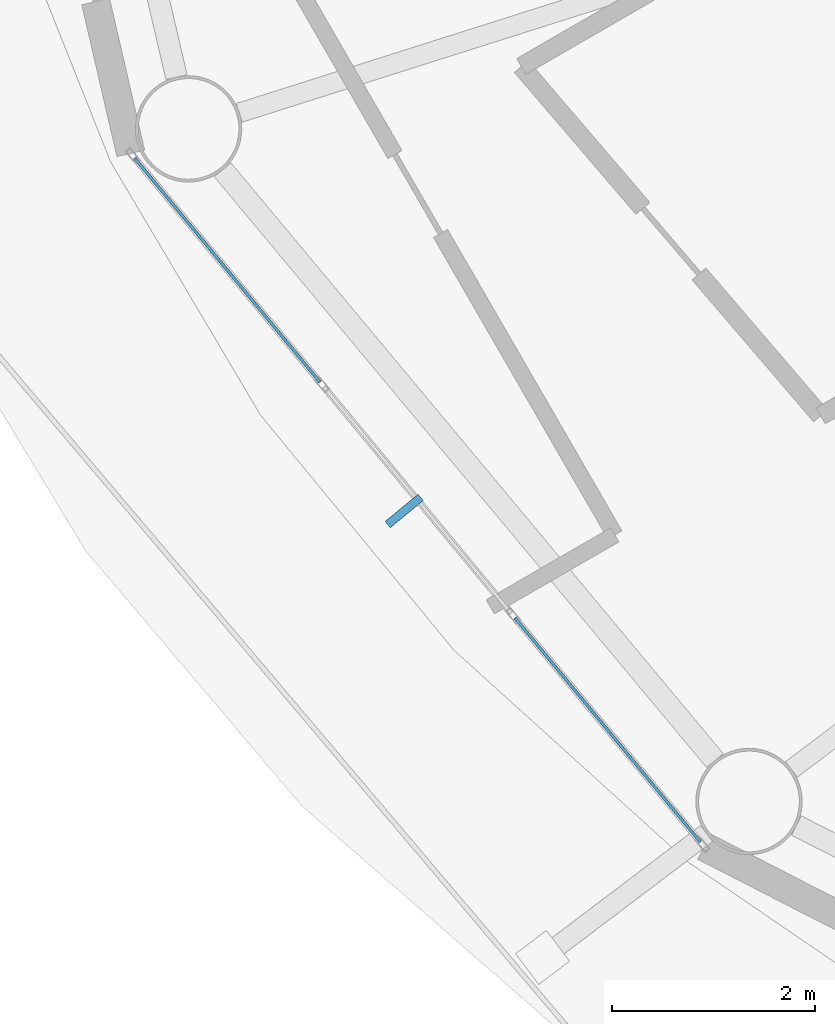
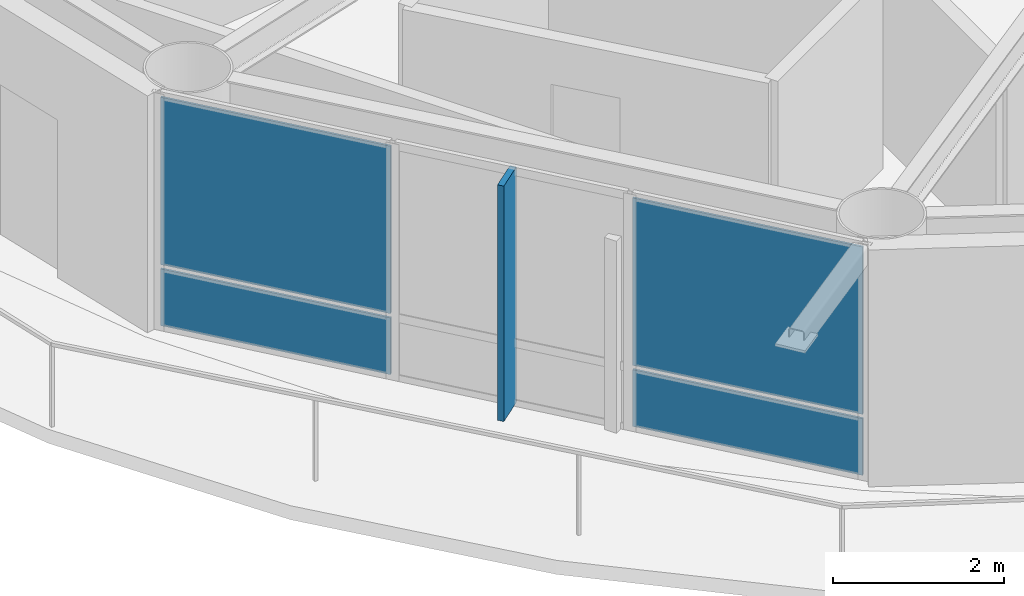
# One storey, part 17 of 29: 5 plates, 1 element without a shape of its own.
"""IFC4 building model written with IfcOpenShell, lengths in metres."""

from ifc_helpers import new_model, si_unit, direction, frame, origin, origin_2d, place, context, subcontext, project, spatial, rectangle, extrude, material, layer, layer_set, type_object, element, aggregate, save


model = new_model("IFC4")

# Units and contexts
model_context = context("Model", 3, precision=1e-05, world=origin(), true_north=direction((0.0, 1.0)))
body_context = subcontext(model_context, "Body", "Model", "MODEL_VIEW")
ifc_project = project(units=[si_unit("LENGTHUNIT", "METRE"), si_unit("AREAUNIT", "SQUARE_METRE"), si_unit("VOLUMEUNIT", "CUBIC_METRE"), si_unit("PLANEANGLEUNIT", "RADIAN"), si_unit("MASSUNIT", "GRAM", prefix="KILO")], contexts=[model_context])

# Site, building, storey
site_placement = place(None, origin())
site = spatial("IfcSite", under=ifc_project, at=site_placement, CompositionType="ELEMENT")
building_placement = place(site_placement, origin())
building = spatial("IfcBuilding", under=site, at=building_placement, Name="Sarneth Arch Tower", CompositionType="ELEMENT")
storey_placement = place(building_placement, frame((0.0, 0.0, 175.800048828125)))
storey = spatial("IfcBuildingStorey", under=building, at=storey_placement, Name="L44", CompositionType="ELEMENT", Elevation=175.800048828125)

# Curtain wall, plates
ifc_material_1 = material(Name="Anodised aluminium Type AA25 and solar-control low-e laminated IGU", Category="aluminium")
ifc_layer_1 = layer(ifc_material_1, 0.169921875)
ifc_layer_set_1 = layer_set([ifc_layer_1], Name="Anodised aluminium Type AA25 and solar-control low-e laminated IGU")
curtain_wall_type = type_object("IfcCurtainWallType", Name="CW-RES-MID", PredefinedType="NOTDEFINED", material=ifc_layer_set_1)
curtain_wall_placement = place(storey_placement, origin())
curtain_wall = element("IfcCurtainWall", 1, at=curtain_wall_placement, inside=storey, type_object=curtain_wall_type, Name="L44 Unitised curtain wall facet 10", PredefinedType="NOTDEFINED")
ifc_material_2 = material(Name="Solar-control low-e laminated IGU", Category="glass")
ifc_layer_2 = layer(ifc_material_2, 0.028076171875)
ifc_layer_set_2 = layer_set([ifc_layer_2], Name="Solar-control low-e laminated IGU")
plate_type_1 = type_object("IfcPlateType", Name="CW-PANEL", PredefinedType="CURTAIN_PANEL", material=ifc_layer_set_2)
plate_1_placement = place(storey_placement, frame((23.719970703125, 32.78173828125, 0.059814453125), z_axis=(0.0, 0.0, 1.0), x_axis=(0.637330298558, -0.770590741276, 0.0)))
plate_1 = element("IfcPlate", 2, at=plate_1_placement, type_object=plate_type_1, Name="Curtain wall glazed vision pane CW-L44-F10/P00-00", PredefinedType="CURTAIN_PANEL", context=body_context, shape_type="SweptSolid", body=[
    extrude(rectangle(XDim=2.8681640625, YDim=0.028076171875, at=origin_2d()), origin(), (0.0, 0.0, 1.0), 0.81005859375),
])
plate_2_placement = place(storey_placement, frame((23.719970703125, 32.78173828125, 0.93017578125), z_axis=(0.0, 0.0, 1.0), x_axis=(0.637330298558, -0.770590741276, 0.0)))
plate_2 = element("IfcPlate", 3, at=plate_2_placement, type_object=plate_type_1, Name="Curtain wall glazed vision pane CW-L44-F10/P00-01", PredefinedType="CURTAIN_PANEL", context=body_context, shape_type="SweptSolid", body=[
    extrude(rectangle(XDim=2.8681640625, YDim=0.028076171875, at=origin_2d()), origin(), (0.0, 0.0, 1.0), 2.389892578125),
])
plate_3_placement = place(storey_placement, frame((27.4716796875, 28.24560546875, 0.059814453125), z_axis=(0.0, 0.0, 1.0), x_axis=(0.637330298558, -0.770590741276, 0.0)))
plate_3 = element("IfcPlate", 4, at=plate_3_placement, type_object=plate_type_1, Name="Curtain wall glazed vision pane CW-L44-F10/P02-00", PredefinedType="CURTAIN_PANEL", context=body_context, shape_type="SweptSolid", body=[
    extrude(rectangle(XDim=2.8681640625, YDim=0.028076171875, at=origin_2d()), origin(), (0.0, 0.0, 1.0), 0.81005859375),
])
plate_4_placement = place(storey_placement, frame((27.4716796875, 28.24560546875, 0.93017578125), z_axis=(0.0, 0.0, 1.0), x_axis=(0.637330298558, -0.770590741276, 0.0)))
plate_4 = element("IfcPlate", 5, at=plate_4_placement, type_object=plate_type_1, Name="Curtain wall glazed vision pane CW-L44-F10/P02-01", PredefinedType="CURTAIN_PANEL", context=body_context, shape_type="SweptSolid", body=[
    extrude(rectangle(XDim=2.8681640625, YDim=0.028076171875, at=origin_2d()), origin(), (0.0, 0.0, 1.0), 2.389892578125),
])
aggregate(curtain_wall, [plate_1, plate_2, plate_3, plate_4])

# Plate
ifc_material_3 = material(Name="Extruded glazed terracotta baguette fin on Aluminium 6063-T6 carrier", Category="masonry")
ifc_layer_3 = layer(ifc_material_3, 0.080078125)
ifc_layer_set_3 = layer_set([ifc_layer_3], Name="Extruded glazed terracotta baguette fin on Aluminium 6063-T6 carrier")
plate_type_2 = type_object("IfcPlateType", Name="SHADE-TERRA-FIN", PredefinedType="SHEET", material=ifc_layer_set_3)
plate_5_placement = place(storey_placement, frame((25.46484375, 30.4052734375, 0.009765625), z_axis=(0.0, 0.0, 1.0), x_axis=(-0.770624482513, -0.637289500111, 0.0)))
element("IfcPlate", 6, at=plate_5_placement, inside=storey, type_object=plate_type_2, Name="L44 Terracotta vertical shading fin 10", PredefinedType="SHEET", context=body_context, shape_type="SweptSolid", body=[
    extrude(rectangle(XDim=0.419921875, YDim=0.080078125, at=origin_2d()), origin(), (0.0, 0.0, 1.0), 3.360107421875),
])

save(model, "model.ifc")
